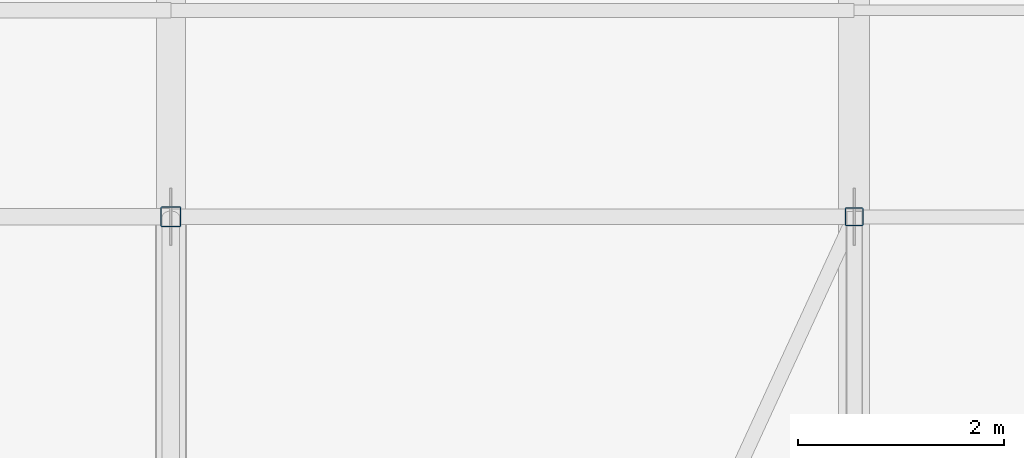
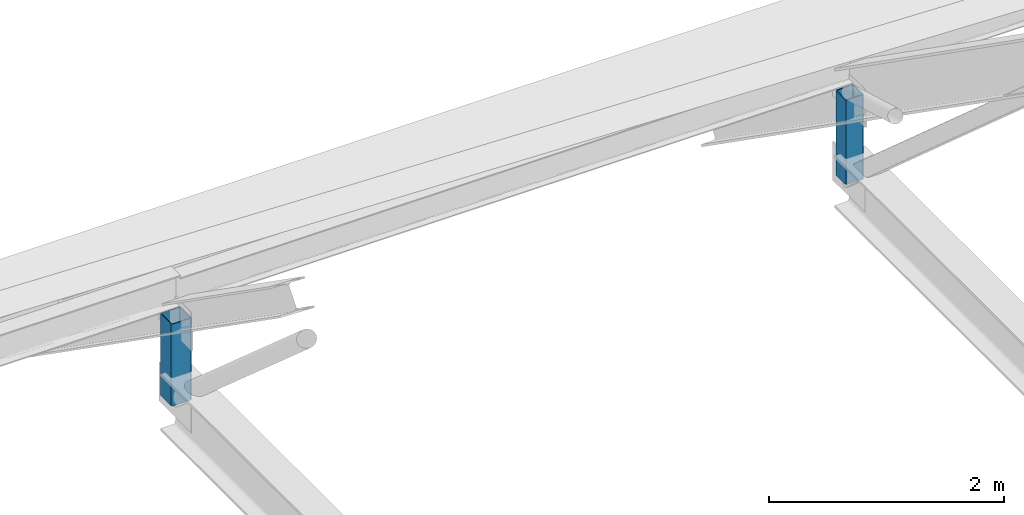
# One storey, part 88 of 134: 2 members.
"""IFC4 building model written with IfcOpenShell, lengths in metres."""

from ifc_helpers import new_model, si_unit, direction, frame, origin, origin_2d, place, context, subcontext, project, spatial, hollow_rectangle, extrude, material, material_profile, profile_set, type_object, element, save


model = new_model("IFC4")

# Units and contexts
model_context = context("Model", 3, precision=1e-05, world=origin(), true_north=direction((0.0, 1.0)))
body_context = subcontext(model_context, "Body", "Model", "MODEL_VIEW")
ifc_project = project(units=[si_unit("LENGTHUNIT", "METRE"), si_unit("AREAUNIT", "SQUARE_METRE"), si_unit("VOLUMEUNIT", "CUBIC_METRE"), si_unit("PLANEANGLEUNIT", "RADIAN"), si_unit("MASSUNIT", "GRAM", prefix="KILO")], contexts=[model_context])

# Site, building, storey
site_placement = place(None, origin())
site = spatial("IfcSite", under=ifc_project, at=site_placement, CompositionType="ELEMENT")
building_placement = place(site_placement, origin())
building = spatial("IfcBuilding", under=site, at=building_placement, Name="Asteropetra Specialist Clinic", CompositionType="ELEMENT")
storey_placement = place(building_placement, frame((0.0, 0.0, 8.5)))
storey = spatial("IfcBuildingStorey", under=building, at=storey_placement, Name="L02", CompositionType="ELEMENT", Elevation=8.5)

# Members
ifc_material_1 = material(Name="Steel S355", Category="steel")
ifc_material_profile_1 = material_profile(ifc_material_1, hollow_rectangle(XDim=0.179931640625, YDim=0.179931640625, WallThickness=0.010009765625, InnerFilletRadius=0.008056640625, OuterFilletRadius=0.01611328125, at=origin_2d()), Name="SHS 180x180x10.0")
ifc_profile_set_1 = profile_set([ifc_material_profile_1], Name="Steel S355")
member_type_1 = type_object("IfcMemberType", Name="TR-STR-SHS180", PredefinedType="STRUT", material=ifc_profile_set_1)
member_1_placement = place(storey_placement, frame((146.47998046875, 105.60009765625, 0.469970703125), z_axis=(0.0, 0.0, 1.0), x_axis=(1.0, 0.0, 0.0)))
element("IfcMember", 1, at=member_1_placement, inside=storey, type_object=member_type_1, Name="Truss Web Strut TRV1-V10-6", PredefinedType="STRUT", context=body_context, shape_type="SweptSolid", body=[
    extrude(hollow_rectangle(XDim=0.179931640625, YDim=0.179931640625, WallThickness=0.010009765625, InnerFilletRadius=0.008056640625, OuterFilletRadius=0.01611328125, at=origin_2d()), origin(), (0.0, 0.0, 1.0), 0.876708984375),
])
ifc_material_2 = material(Name="Steel S355", Category="steel")
ifc_material_profile_2 = material_profile(ifc_material_2, hollow_rectangle(XDim=0.199951171875, YDim=0.199951171875, WallThickness=0.010009765625, InnerFilletRadius=0.008056640625, OuterFilletRadius=0.01611328125, at=origin_2d()), Name="SHS 200x200x10.0")
ifc_profile_set_2 = profile_set([ifc_material_profile_2], Name="Steel S355")
member_type_2 = type_object("IfcMemberType", Name="TR-STR-SHS200", PredefinedType="STRUT", material=ifc_profile_set_2)
member_2_placement = place(storey_placement, frame((139.860107421875, 105.60009765625, 0.4951171875), z_axis=(0.0, 0.0, 1.0), x_axis=(1.0, 0.0, 0.0)))
element("IfcMember", 2, at=member_2_placement, inside=storey, type_object=member_type_2, Name="Truss Web Strut TRV1-V09-6", PredefinedType="STRUT", context=body_context, shape_type="SweptSolid", body=[
    extrude(hollow_rectangle(XDim=0.199951171875, YDim=0.199951171875, WallThickness=0.010009765625, InnerFilletRadius=0.008056640625, OuterFilletRadius=0.01611328125, at=origin_2d()), origin(), (0.0, 0.0, 1.0), 0.8515625),
])

save(model, "model.ifc")
